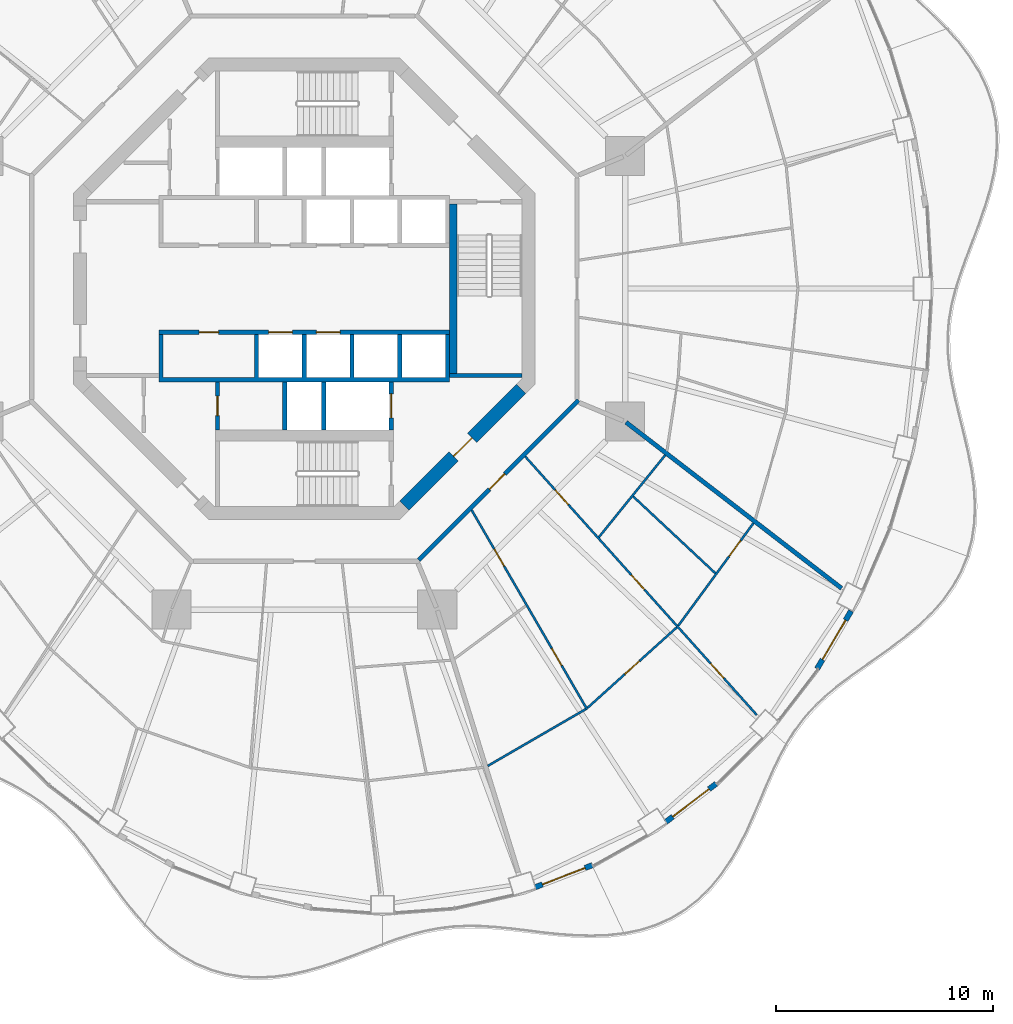
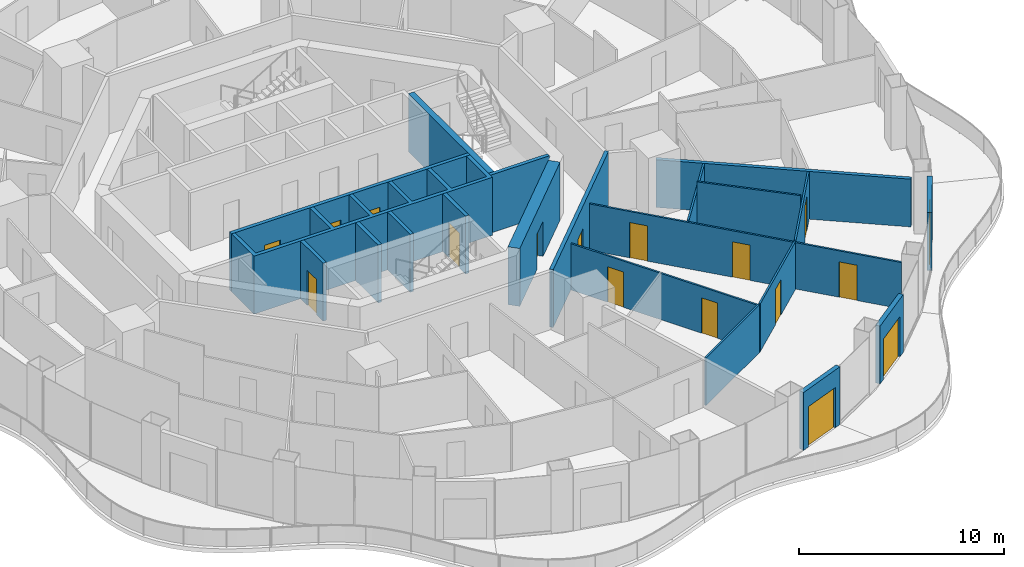
# One storey, part 12 of 19: 21 walls, 17 doors, 17 openings.
"""IFC4 building model written with IfcOpenShell, lengths in metres."""

from ifc_helpers import new_model, si_unit, direction, frame, frame_2d, origin, place, context, subcontext, project, spatial, polyline, rectangle, outline, extrude, material, layer, layer_set, type_object, element, fill, save


model = new_model("IFC4")

# Units and contexts
model_context = context("Model", 3, precision=1e-05, world=origin(), true_north=direction((0.0, 1.0)))
body_context = subcontext(model_context, "Body", "Model", "MODEL_VIEW")
ifc_project = project(units=[si_unit("LENGTHUNIT", "METRE"), si_unit("AREAUNIT", "SQUARE_METRE"), si_unit("VOLUMEUNIT", "CUBIC_METRE"), si_unit("PLANEANGLEUNIT", "RADIAN"), si_unit("MASSUNIT", "GRAM", prefix="KILO")], contexts=[model_context])

# Site, building, storey
site_placement = place(None, origin())
site = spatial("IfcSite", under=ifc_project, at=site_placement, CompositionType="ELEMENT")
building_placement = place(site_placement, origin())
building = spatial("IfcBuilding", under=site, at=building_placement, Name="Nagisa Residences", CompositionType="ELEMENT")
storey_placement = place(building_placement, frame((0.0, 0.0, 191.800048828125)))
storey = spatial("IfcBuildingStorey", under=building, at=storey_placement, Name="L48", CompositionType="ELEMENT", Elevation=191.800048828125)

# Wall
ifc_material_1 = material(Name="Gypsum board on steel studs", Category="steel")
ifc_layer_1 = layer(ifc_material_1, 0.199951171875)
ifc_layer_set_1 = layer_set([ifc_layer_1], Name="Apartment compartment wall EI60 200")
wall_type_1 = type_object("IfcWallType", Name="Apartment compartment wall EI60 200", PredefinedType="PARTITIONING", material=ifc_layer_set_1)
wall_1_placement = place(storey_placement, frame((14.82177734375, -6.153564453125, 0.0), z_axis=(0.0, 0.0, 1.0), x_axis=(0.792203056092, -0.610257583254, 0.0)))
element("IfcWall", 1, at=wall_1_placement, inside=storey, type_object=wall_type_1, Name="wall:L48:u09", PredefinedType="PARTITIONING", context=body_context, shape_type="SweptSolid", body=[
    extrude(rectangle(XDim=12.53271484375, YDim=0.199951171875, at=frame_2d((6.266357421875, 0.0))), origin(), (0.0, 0.0, 1.0), 2.8369140625),
])

# Wall, opening, door
ifc_material_2 = material(Name="Gypsum board on steel studs", Category="steel")
ifc_layer_2 = layer(ifc_material_2, 0.199951171875)
ifc_layer_set_2 = layer_set([ifc_layer_2], Name="Apartment entry wall EI60 200")
wall_type_2 = type_object("IfcWallType", Name="Apartment entry wall EI60 200", PredefinedType="PARTITIONING", material=ifc_layer_set_2)
wall_2_placement = place(storey_placement, frame((5.275146484375, -12.494140625, 0.0), z_axis=(0.0, 0.0, 1.0), x_axis=(0.707106781187, 0.707106781187, 0.0)))
wall_2 = element("IfcWall", 2, at=wall_2_placement, inside=storey, type_object=wall_type_2, Name="wall:L48:u17", PredefinedType="PARTITIONING", context=body_context, shape_type="SweptSolid", body=[
    extrude(rectangle(XDim=10.4091796875, YDim=0.199951171875, at=frame_2d((5.20458984375, 0.0))), origin(), (0.0, 0.0, 1.0), 3.43994140625),
])
opening_1_placement = place(wall_2_placement, frame((4.6044921875, 0.0, 0.0)))
opening_1 = element("IfcOpeningElement", 3, at=opening_1_placement, cuts=wall_2, Name="Opening L48-U14", PredefinedType="OPENING", context=body_context, shape_type="SweptSolid", body=[
    extrude(rectangle(XDim=1.0, YDim=2.10009765625, at=frame_2d((0.5, 1.050048828125))), frame((0.0, 0.10986328125, 0.0), z_axis=(0.0, -1.0, 0.0), x_axis=(1.0, 0.0, 0.0)), (0.0, 0.0, 1.0), 0.219970703125),
])
ifc_material_3 = material(Name="Timber fire door set", Category="wood")
door_type_1 = type_object("IfcDoorType", Name="Apartment entry door FD30S 1000x2100", OperationType="NOTDEFINED", PredefinedType="DOOR", material=ifc_material_3)
door_1_placement = place(opening_1_placement, frame((1.0, 0.0, 0.0), x_axis=(-1.0, 0.0, 0.0)))
door_1 = element("IfcDoor", 4, at=door_1_placement, inside=storey, type_object=door_type_1, Name="Entry door, Apartment 48B", OperationType="SINGLE_SWING_LEFT", OverallHeight=2.10009765625, OverallWidth=1.0, PredefinedType="DOOR", context=body_context, shape_type="SweptSolid", body=[
    extrude(rectangle(XDim=1.0, YDim=2.10009765625, at=frame_2d((0.5, 1.050048828125))), frame((0.0, 0.02490234375, 0.0), z_axis=(0.0, -1.0, 0.0), x_axis=(1.0, 0.0, 0.0)), (0.0, 0.0, 1.0), 0.050048828125),
])
fill(opening_1, door_1)

# Wall
ifc_material_4 = material(Name="Gypsum board on steel studs", Category="steel")
ifc_layer_3 = layer(ifc_material_4, 0.10009765625)
ifc_layer_set_3 = layer_set([ifc_layer_3], Name="Apartment partition 100")
wall_type_3 = type_object("IfcWallType", Name="Apartment partition 100", PredefinedType="PARTITIONING", material=ifc_layer_set_3)
wall_3_placement = place(storey_placement, frame((8.4482421875, -21.988037109375, 0.0), z_axis=(0.0, 0.0, 1.0), x_axis=(0.865286427811, 0.501277765163, 0.0)))
element("IfcWall", 5, at=wall_3_placement, inside=storey, type_object=wall_type_3, Name="wall:L48:u77", PredefinedType="PARTITIONING", context=body_context, shape_type="SweptSolid", body=[
    extrude(rectangle(XDim=5.219970703125, YDim=0.10009765625, at=frame_2d((2.60986328125, 0.0))), origin(), (0.0, 0.0, 1.0), 2.8369140625),
])

# Wall, openings, doors
wall_4_placement = place(storey_placement, frame((7.7080078125, -10.19775390625, 0.0), z_axis=(0.0, 0.0, 1.0), x_axis=(0.501288100085, -0.865280440501, 0.0)))
wall_4 = element("IfcWall", 6, at=wall_4_placement, inside=storey, type_object=wall_type_3, Name="wall:L48:u78", PredefinedType="PARTITIONING", context=body_context, shape_type="SweptSolid", body=[
    extrude(rectangle(XDim=10.623046875, YDim=0.10009765625, at=frame_2d((5.3115234375, 0.0))), origin(), (0.0, 0.0, 1.0), 2.755859375),
])
opening_2_placement = place(wall_4_placement, frame((2.082275390625, 0.0, 0.0)))
opening_2 = element("IfcOpeningElement", 7, at=opening_2_placement, cuts=wall_4, Name="Opening L48-U15", PredefinedType="OPENING", context=body_context, shape_type="SweptSolid", body=[
    extrude(rectangle(XDim=0.89990234375, YDim=2.10009765625, at=frame_2d((0.449951171875, 1.050048828125))), frame((0.0, 0.06005859375, 0.0), z_axis=(0.0, -1.0, 0.0), x_axis=(1.0, 0.0, 0.0)), (0.0, 0.0, 1.0), 0.1201171875),
])
opening_3_placement = place(wall_4_placement, frame((7.36865234375, 0.0, 0.0)))
opening_3 = element("IfcOpeningElement", 8, at=opening_3_placement, cuts=wall_4, Name="Opening L48-U17", PredefinedType="OPENING", context=body_context, shape_type="SweptSolid", body=[
    extrude(rectangle(XDim=0.89990234375, YDim=2.10009765625, at=frame_2d((0.449951171875, 1.050048828125))), frame((0.0, 0.06005859375, 0.0), z_axis=(0.0, -1.0, 0.0), x_axis=(1.0, 0.0, 0.0)), (0.0, 0.0, 1.0), 0.1201171875),
])
ifc_material_5 = material(Name="Timber door set", Category="wood")
door_type_2 = type_object("IfcDoorType", Name="Apartment door 900x2100", OperationType="NOTDEFINED", PredefinedType="DOOR", material=ifc_material_5)
door_2_placement = place(opening_2_placement, frame((0.89990234375, 0.0, 0.0), x_axis=(-1.0, 0.0, 0.0)))
door_2 = element("IfcDoor", 9, at=door_2_placement, inside=storey, type_object=door_type_2, Name="Door to store, Apartment 48B", OperationType="SINGLE_SWING_RIGHT", OverallHeight=2.10009765625, OverallWidth=0.89990234375, PredefinedType="DOOR", context=body_context, shape_type="SweptSolid", body=[
    extrude(rectangle(XDim=0.89990234375, YDim=2.10009765625, at=frame_2d((0.449951171875, 1.050048828125))), frame((0.0, 0.02490234375, 0.0), z_axis=(0.0, -1.0, 0.0), x_axis=(1.0, 0.0, 0.0)), (0.0, 0.0, 1.0), 0.050048828125),
])
fill(opening_2, door_2)
door_3_placement = place(opening_3_placement, frame((0.89990234375, 0.0, 0.0), x_axis=(-1.0, 0.0, 0.0)))
door_3 = element("IfcDoor", 10, at=door_3_placement, inside=storey, type_object=door_type_2, Name="Door to kitchen, Apartment 48B", OperationType="SINGLE_SWING_RIGHT", OverallHeight=2.10009765625, OverallWidth=0.89990234375, PredefinedType="DOOR", context=body_context, shape_type="SweptSolid", body=[
    extrude(rectangle(XDim=0.89990234375, YDim=2.10009765625, at=frame_2d((0.449951171875, 1.050048828125))), frame((0.0, 0.02490234375, 0.0), z_axis=(0.0, -1.0, 0.0), x_axis=(1.0, 0.0, 0.0)), (0.0, 0.0, 1.0), 0.050048828125),
])
fill(opening_3, door_3)

# Wall, opening, door
wall_5_placement = place(storey_placement, frame((13.04541015625, -19.312744140625, 0.0), z_axis=(0.0, 0.0, 1.0), x_axis=(0.742790086539, 0.66952437397, 0.0)))
wall_5 = element("IfcWall", 11, at=wall_5_placement, inside=storey, type_object=wall_type_3, Name="wall:L48:u79", PredefinedType="PARTITIONING", context=body_context, shape_type="SweptSolid", body=[
    extrude(rectangle(XDim=5.54150390625, YDim=0.10009765625, at=frame_2d((2.770751953125, 0.0))), origin(), (0.0, 0.0, 1.0), 2.8369140625),
])
opening_4_placement = place(wall_5_placement, frame((2.32080078125, 0.0, 0.0)))
opening_4 = element("IfcOpeningElement", 12, at=opening_4_placement, cuts=wall_5, Name="Opening L48-U19", PredefinedType="OPENING", context=body_context, shape_type="SweptSolid", body=[
    extrude(rectangle(XDim=0.89990234375, YDim=2.10009765625, at=frame_2d((0.449951171875, 1.050048828125))), frame((0.0, 0.06005859375, 0.0), z_axis=(0.0, -1.0, 0.0), x_axis=(1.0, 0.0, 0.0)), (0.0, 0.0, 1.0), 0.1201171875),
])
door_4_placement = place(opening_4_placement, frame((0.89990234375, 0.0, 0.0), x_axis=(-1.0, 0.0, 0.0)))
door_4 = element("IfcDoor", 13, at=door_4_placement, inside=storey, type_object=door_type_2, Name="Door to living room, Apartment 48B", OperationType="SINGLE_SWING_RIGHT", OverallHeight=2.10009765625, OverallWidth=0.89990234375, PredefinedType="DOOR", context=body_context, shape_type="SweptSolid", body=[
    extrude(rectangle(XDim=0.89990234375, YDim=2.10009765625, at=frame_2d((0.449951171875, 1.050048828125))), frame((0.0, 0.02490234375, 0.0), z_axis=(0.0, -1.0, 0.0), x_axis=(1.0, 0.0, 0.0)), (0.0, 0.0, 1.0), 0.050048828125),
])
fill(opening_4, door_4)

# Wall, openings, doors
wall_6_placement = place(storey_placement, frame((10.177978515625, -7.732421875, 0.0), z_axis=(0.0, 0.0, 1.0), x_axis=(0.667283629999, -0.74480370376, 0.0)))
wall_6 = element("IfcWall", 14, at=wall_6_placement, inside=storey, type_object=wall_type_3, Name="wall:L48:u80", PredefinedType="PARTITIONING", context=body_context, shape_type="SweptSolid", body=[
    extrude(rectangle(XDim=15.983154296875, YDim=0.10009765625, at=frame_2d((7.99169921875, 0.0))), origin(), (0.0, 0.0, 1.0), 2.755859375),
])
opening_5_placement = place(wall_6_placement, frame((2.069580078125, 0.0, 0.0)))
opening_5 = element("IfcOpeningElement", 15, at=opening_5_placement, cuts=wall_6, Name="Opening L48-U16", PredefinedType="OPENING", context=body_context, shape_type="SweptSolid", body=[
    extrude(rectangle(XDim=0.89990234375, YDim=2.10009765625, at=frame_2d((0.449951171875, 1.050048828125))), frame((0.0, 0.06005859375, 0.0), z_axis=(0.0, -1.0, 0.0), x_axis=(1.0, 0.0, 0.0)), (0.0, 0.0, 1.0), 0.1201171875),
])
opening_6_placement = place(wall_6_placement, frame((7.33056640625, 0.0, 0.0)))
opening_6 = element("IfcOpeningElement", 16, at=opening_6_placement, cuts=wall_6, Name="Opening L48-U18", PredefinedType="OPENING", context=body_context, shape_type="SweptSolid", body=[
    extrude(rectangle(XDim=0.89990234375, YDim=2.10009765625, at=frame_2d((0.449951171875, 1.050048828125))), frame((0.0, 0.06005859375, 0.0), z_axis=(0.0, -1.0, 0.0), x_axis=(1.0, 0.0, 0.0)), (0.0, 0.0, 1.0), 0.1201171875),
])
opening_7_placement = place(wall_6_placement, frame((12.80224609375, 0.0, 0.0)))
opening_7 = element("IfcOpeningElement", 17, at=opening_7_placement, cuts=wall_6, Name="Opening L48-U20", PredefinedType="OPENING", context=body_context, shape_type="SweptSolid", body=[
    extrude(rectangle(XDim=0.89990234375, YDim=2.10009765625, at=frame_2d((0.449951171875, 1.050048828125))), frame((0.0, 0.06005859375, 0.0), z_axis=(0.0, -1.0, 0.0), x_axis=(1.0, 0.0, 0.0)), (0.0, 0.0, 1.0), 0.1201171875),
])
door_5_placement = place(opening_5_placement, origin())
door_5 = element("IfcDoor", 18, at=door_5_placement, inside=storey, type_object=door_type_2, Name="Door to family bathroom, Apartment 48B", OperationType="SINGLE_SWING_RIGHT", OverallHeight=2.10009765625, OverallWidth=0.89990234375, PredefinedType="DOOR", context=body_context, shape_type="SweptSolid", body=[
    extrude(rectangle(XDim=0.89990234375, YDim=2.10009765625, at=frame_2d((0.449951171875, 1.050048828125))), frame((0.0, 0.02490234375, 0.0), z_axis=(0.0, -1.0, 0.0), x_axis=(1.0, 0.0, 0.0)), (0.0, 0.0, 1.0), 0.050048828125),
])
fill(opening_5, door_5)
door_6_placement = place(opening_6_placement, origin())
door_6 = element("IfcDoor", 19, at=door_6_placement, inside=storey, type_object=door_type_2, Name="Door to family bathroom, Apartment 48B", OperationType="SINGLE_SWING_RIGHT", OverallHeight=2.10009765625, OverallWidth=0.89990234375, PredefinedType="DOOR", context=body_context, shape_type="SweptSolid", body=[
    extrude(rectangle(XDim=0.89990234375, YDim=2.10009765625, at=frame_2d((0.449951171875, 1.050048828125))), frame((0.0, 0.02490234375, 0.0), z_axis=(0.0, -1.0, 0.0), x_axis=(1.0, 0.0, 0.0)), (0.0, 0.0, 1.0), 0.050048828125),
])
fill(opening_6, door_6)
door_7_placement = place(opening_7_placement, origin())
door_7 = element("IfcDoor", 20, at=door_7_placement, inside=storey, type_object=door_type_2, Name="Door to master bedroom, Apartment 48B", OperationType="SINGLE_SWING_RIGHT", OverallHeight=2.10009765625, OverallWidth=0.89990234375, PredefinedType="DOOR", context=body_context, shape_type="SweptSolid", body=[
    extrude(rectangle(XDim=0.89990234375, YDim=2.10009765625, at=frame_2d((0.449951171875, 1.050048828125))), frame((0.0, 0.02490234375, 0.0), z_axis=(0.0, -1.0, 0.0), x_axis=(1.0, 0.0, 0.0)), (0.0, 0.0, 1.0), 0.050048828125),
])
fill(opening_7, door_7)

# Wall
wall_7_placement = place(storey_placement, frame((13.572265625, -11.447021484375, 0.0), z_axis=(0.0, 0.0, 1.0), x_axis=(0.628738316533, 0.777616955399, 0.0)))
element("IfcWall", 21, at=wall_7_placement, inside=storey, type_object=wall_type_3, Name="wall:L48:u81", PredefinedType="PARTITIONING", context=body_context, shape_type="SweptSolid", body=[
    extrude(rectangle(XDim=4.857177734375, YDim=0.10009765625, at=frame_2d((2.4287109375, 0.0))), origin(), (0.0, 0.0, 1.0), 2.8369140625),
])

# Wall, opening, door
wall_8_placement = place(storey_placement, frame((17.228515625, -15.528564453125, 0.0), z_axis=(0.0, 0.0, 1.0), x_axis=(0.591110768293, 0.806590391468, 0.0)))
wall_8 = element("IfcWall", 22, at=wall_8_placement, inside=storey, type_object=wall_type_3, Name="wall:L48:u82", PredefinedType="PARTITIONING", context=body_context, shape_type="SweptSolid", body=[
    extrude(rectangle(XDim=5.85986328125, YDim=0.10009765625, at=frame_2d((2.929931640625, 0.0))), origin(), (0.0, 0.0, 1.0), 2.8369140625),
])
opening_8_placement = place(wall_8_placement, frame((3.95751953125, 0.0, 0.0)))
opening_8 = element("IfcOpeningElement", 23, at=opening_8_placement, cuts=wall_8, Name="Opening L48-U21", PredefinedType="OPENING", context=body_context, shape_type="SweptSolid", body=[
    extrude(rectangle(XDim=0.89990234375, YDim=2.10009765625, at=frame_2d((0.449951171875, 1.050048828125))), frame((0.0, 0.06005859375, 0.0), z_axis=(0.0, -1.0, 0.0), x_axis=(1.0, 0.0, 0.0)), (0.0, 0.0, 1.0), 0.1201171875),
])
door_8_placement = place(opening_8_placement, origin())
door_8 = element("IfcDoor", 24, at=door_8_placement, inside=storey, type_object=door_type_2, Name="Door to en-suite bathroom, Apartment 48B", OperationType="SINGLE_SWING_LEFT", OverallHeight=2.10009765625, OverallWidth=0.89990234375, PredefinedType="DOOR", context=body_context, shape_type="SweptSolid", body=[
    extrude(rectangle(XDim=0.89990234375, YDim=2.10009765625, at=frame_2d((0.449951171875, 1.050048828125))), frame((0.0, 0.02490234375, 0.0), z_axis=(0.0, -1.0, 0.0), x_axis=(1.0, 0.0, 0.0)), (0.0, 0.0, 1.0), 0.050048828125),
])
fill(opening_8, door_8)

# Wall
wall_9_placement = place(storey_placement, frame((15.151611328125, -9.572998046875, 0.0), z_axis=(0.0, 0.0, 1.0), x_axis=(0.730723083214, -0.682673989294, 0.0)))
element("IfcWall", 25, at=wall_9_placement, inside=storey, type_object=wall_type_3, Name="wall:L48:u83", PredefinedType="PARTITIONING", context=body_context, shape_type="SweptSolid", body=[
    extrude(rectangle(XDim=5.1826171875, YDim=0.10009765625, at=frame_2d((2.59130859375, 0.0))), origin(), (0.0, 0.0, 1.0), 3.43994140625),
])

# Wall, opening, door
ifc_material_6 = material(Name="Precast concrete C40/50", Category="concrete")
ifc_layer_4 = layer(ifc_material_6, 0.25)
ifc_layer_set_4 = layer_set([ifc_layer_4], Name="BALCONY DOOR WALL 250")
wall_type_4 = type_object("IfcWallType", Name="BALCONY DOOR WALL 250", PredefinedType="SOLIDWALL", material=ifc_layer_set_4)
wall_10_placement = place(storey_placement, frame((13.265625, -26.560302734375, 0.0), z_axis=(0.0, 0.0, 1.0), x_axis=(-0.932806734513, -0.360377019311, 0.0)))
wall_10 = element("IfcWall", 26, at=wall_10_placement, inside=storey, type_object=wall_type_4, Name="wall:L48:bay38", PredefinedType="SOLIDWALL", context=body_context, shape_type="SweptSolid", body=[
    extrude(rectangle(XDim=2.819580078125, YDim=0.25, at=frame_2d((1.40966796875, 0.0))), origin(), (0.0, 0.0, 1.0), 3.43994140625),
])
opening_9_placement = place(wall_10_placement, frame((0.359619140625, 0.0, 0.0)))
opening_9 = element("IfcOpeningElement", 27, at=opening_9_placement, cuts=wall_10, Name="Opening BD-L48-13", PredefinedType="OPENING", context=body_context, shape_type="SweptSolid", body=[
    extrude(rectangle(XDim=2.10009765625, YDim=2.39990234375, at=frame_2d((1.050048828125, 1.199951171875))), frame((0.0, 0.135009765625, 0.0), z_axis=(0.0, -1.0, 0.0), x_axis=(1.0, 0.0, 0.0)), (0.0, 0.0, 1.0), 0.27001953125),
])
ifc_material_7 = material(Name="Aluminium and clear glass", Category="aluminium")
door_type_3 = type_object("IfcDoorType", Name="BALCONY SLIDING DOOR 2100x2400", OperationType="SLIDING_TO_LEFT", PredefinedType="DOOR", material=ifc_material_7)
door_9_placement = place(opening_9_placement, origin())
door_9 = element("IfcDoor", 28, at=door_9_placement, inside=storey, type_object=door_type_3, Name="door:L48:bay38", OperationType="SLIDING_TO_LEFT", OverallHeight=2.39990234375, OverallWidth=2.10009765625, PredefinedType="DOOR", context=body_context, shape_type="SweptSolid", body=[
    extrude(rectangle(XDim=2.10009765625, YDim=2.39990234375, at=frame_2d((1.050048828125, 1.199951171875))), frame((0.0, 0.02490234375, 0.0), z_axis=(0.0, -1.0, 0.0), x_axis=(1.0, 0.0, 0.0)), (0.0, 0.0, 1.0), 0.050048828125),
])
fill(opening_9, door_9)

wall_11_placement = place(storey_placement, frame((18.9716796875, -22.80859375, 0.0), z_axis=(0.0, 0.0, 1.0), x_axis=(-0.796055733703, -0.60522332146, 0.0)))
wall_11 = element("IfcWall", 29, at=wall_11_placement, inside=storey, type_object=wall_type_4, Name="wall:L48:bay40", PredefinedType="SOLIDWALL", context=body_context, shape_type="SweptSolid", body=[
    extrude(rectangle(XDim=2.9169921875, YDim=0.25, at=frame_2d((1.45849609375, 0.0))), origin(), (0.0, 0.0, 1.0), 3.43994140625),
])
opening_10_placement = place(wall_11_placement, frame((0.408447265625, 0.0, 0.0)))
opening_10 = element("IfcOpeningElement", 30, at=opening_10_placement, cuts=wall_11, Name="Opening BD-L48-14", PredefinedType="OPENING", context=body_context, shape_type="SweptSolid", body=[
    extrude(rectangle(XDim=2.10009765625, YDim=2.39990234375, at=frame_2d((1.050048828125, 1.199951171875))), frame((0.0, 0.135009765625, 0.0), z_axis=(0.0, -1.0, 0.0), x_axis=(1.0, 0.0, 0.0)), (0.0, 0.0, 1.0), 0.27001953125),
])
door_10_placement = place(opening_10_placement, origin())
door_10 = element("IfcDoor", 31, at=door_10_placement, inside=storey, type_object=door_type_3, Name="door:L48:bay40", OperationType="SLIDING_TO_LEFT", OverallHeight=2.39990234375, OverallWidth=2.10009765625, PredefinedType="DOOR", context=body_context, shape_type="SweptSolid", body=[
    extrude(rectangle(XDim=2.10009765625, YDim=2.39990234375, at=frame_2d((1.050048828125, 1.199951171875))), frame((0.0, 0.02490234375, 0.0), z_axis=(0.0, -1.0, 0.0), x_axis=(1.0, 0.0, 0.0)), (0.0, 0.0, 1.0), 0.050048828125),
])
fill(opening_10, door_10)

wall_12_placement = place(storey_placement, frame((25.189208984375, -14.848388671875, 0.0), z_axis=(0.0, 0.0, 1.0), x_axis=(-0.506367803691, -0.862317602386, 0.0)))
wall_12 = element("IfcWall", 32, at=wall_12_placement, inside=storey, type_object=wall_type_4, Name="wall:L48:bay43", PredefinedType="SOLIDWALL", context=body_context, shape_type="SweptSolid", body=[
    extrude(rectangle(XDim=3.092041015625, YDim=0.25, at=frame_2d((1.5458984375, 0.0))), origin(), (0.0, 0.0, 1.0), 3.43994140625),
])
opening_11_placement = place(wall_12_placement, frame((0.495849609375, 0.0, 0.0)))
opening_11 = element("IfcOpeningElement", 33, at=opening_11_placement, cuts=wall_12, Name="Opening BD-L48-15", PredefinedType="OPENING", context=body_context, shape_type="SweptSolid", body=[
    extrude(rectangle(XDim=2.10009765625, YDim=2.39990234375, at=frame_2d((1.050048828125, 1.199951171875))), frame((0.0, 0.135009765625, 0.0), z_axis=(0.0, -1.0, 0.0), x_axis=(1.0, 0.0, 0.0)), (0.0, 0.0, 1.0), 0.27001953125),
])
door_11_placement = place(opening_11_placement, origin())
door_11 = element("IfcDoor", 34, at=door_11_placement, inside=storey, type_object=door_type_3, Name="door:L48:bay43", OperationType="SLIDING_TO_LEFT", OverallHeight=2.39990234375, OverallWidth=2.10009765625, PredefinedType="DOOR", context=body_context, shape_type="SweptSolid", body=[
    extrude(rectangle(XDim=2.10009765625, YDim=2.39990234375, at=frame_2d((1.050048828125, 1.199951171875))), frame((0.0, 0.02490234375, 0.0), z_axis=(0.0, -1.0, 0.0), x_axis=(1.0, 0.0, 0.0)), (0.0, 0.0, 1.0), 0.050048828125),
])
fill(opening_11, door_11)

ifc_material_8 = material(Name="Concrete C60", Category="concrete")
ifc_layer_5 = layer(ifc_material_8, 0.60009765625)
ifc_layer_set_5 = layer_set([ifc_layer_5], Name="Core shear wall 600")
wall_type_5 = type_object("IfcWallType", Name="Core shear wall 600", PredefinedType="SHEAR", material=ifc_layer_set_5)
wall_13_placement = place(storey_placement, frame((4.613037109375, -9.98828125, 0.0), z_axis=(0.0, 0.0, 1.0), x_axis=(0.707106781187, 0.707106781187, 0.0)))
wall_13 = element("IfcWall", 35, at=wall_13_placement, inside=storey, type_object=wall_type_5, Name="wall:L48:core:flat7", PredefinedType="SHEAR", context=body_context, shape_type="SweptSolid", body=[
    extrude(rectangle(XDim=7.601806640625, YDim=0.60009765625, at=frame_2d((3.80078125, 0.0))), origin(), (0.0, 0.0, 1.0), 3.43994140625),
])
opening_12_placement = place(wall_13_placement, frame((3.200927734375, 0.0, 0.0)))
opening_12 = element("IfcOpeningElement", 36, at=opening_12_placement, cuts=wall_13, Name="Opening L48-C19", PredefinedType="OPENING", context=body_context, shape_type="SweptSolid", body=[
    extrude(rectangle(XDim=1.199951171875, YDim=2.10009765625, at=frame_2d((0.60009765625, 1.050048828125))), frame((0.0, 0.31005859375, 0.0), z_axis=(0.0, -1.0, 0.0), x_axis=(1.0, 0.0, 0.0)), (0.0, 0.0, 1.0), 0.6201171875),
])
ifc_material_9 = material(Name="Steel fire door", Category="steel")
door_type_4 = type_object("IfcDoorType", Name="Fire door EI60 1200x2100 single swing", OperationType="NOTDEFINED", PredefinedType="DOOR", material=ifc_material_9)
door_12_placement = place(opening_12_placement, origin())
door_12 = element("IfcDoor", 37, at=door_12_placement, inside=storey, type_object=door_type_4, Name="Firefighting lobby 2 door L48", OperationType="SINGLE_SWING_RIGHT", OverallHeight=2.10009765625, OverallWidth=1.199951171875, PredefinedType="DOOR", context=body_context, shape_type="SweptSolid", body=[
    extrude(rectangle(XDim=1.199951171875, YDim=2.10009765625, at=frame_2d((0.60009765625, 1.050048828125))), frame((0.0, 0.02490234375, 0.0), z_axis=(0.0, -1.0, 0.0), x_axis=(1.0, 0.0, 0.0)), (0.0, 0.0, 1.0), 0.050048828125),
])
fill(opening_12, door_12)

ifc_material_10 = material(Name="Concrete C60", Category="concrete")
ifc_layer_6 = layer(ifc_material_10, 0.199951171875)
ifc_layer_set_6 = layer_set([ifc_layer_6], Name="Lift shaft wall 200")
wall_type_6 = type_object("IfcWallType", Name="Lift shaft wall 200", PredefinedType="SOLIDWALL", material=ifc_layer_set_6)
wall_14_placement = place(storey_placement, frame((4.0, -6.5, 0.0), z_axis=(0.0, 0.0, 1.0), x_axis=(0.0, 1.0, 0.0)))
wall_14 = element("IfcWall", 38, at=wall_14_placement, inside=storey, type_object=wall_type_6, Name="wall:L48:Sb3", PredefinedType="SOLIDWALL", context=body_context, shape_type="SweptSolid", body=[
    extrude(rectangle(XDim=2.199951171875, YDim=0.199951171875, at=frame_2d((1.10009765625, 0.0))), origin(), (0.0, 0.0, 1.0), 3.43994140625),
])
opening_13_placement = place(wall_14_placement, frame((0.550048828125, 0.0, 0.0)))
opening_13 = element("IfcOpeningElement", 39, at=opening_13_placement, cuts=wall_14, Name="Opening L48-C06", PredefinedType="OPENING", context=body_context, shape_type="SweptSolid", body=[
    extrude(rectangle(XDim=1.10009765625, YDim=2.10009765625, at=frame_2d((0.550048828125, 1.050048828125))), frame((0.0, 0.10986328125, 0.0), z_axis=(0.0, -1.0, 0.0), x_axis=(1.0, 0.0, 0.0)), (0.0, 0.0, 1.0), 0.219970703125),
])
ifc_material_11 = material(Name="Stainless steel", Category="steel")
door_type_5 = type_object("IfcDoorType", Name="Lift landing door 1100x2100", OperationType="DOUBLE_DOOR_SLIDING", PredefinedType="DOOR", material=ifc_material_11)
door_13_placement = place(opening_13_placement, origin())
door_13 = element("IfcDoor", 40, at=door_13_placement, inside=storey, type_object=door_type_5, Name="Landing door FL2 L48", OperationType="DOUBLE_DOOR_SLIDING", OverallHeight=2.10009765625, OverallWidth=1.10009765625, PredefinedType="DOOR", context=body_context, shape_type="SweptSolid", body=[
    extrude(rectangle(XDim=1.10009765625, YDim=2.10009765625, at=frame_2d((0.550048828125, 1.050048828125))), frame((0.0, 0.02490234375, 0.0), z_axis=(0.0, -1.0, 0.0), x_axis=(1.0, 0.0, 0.0)), (0.0, 0.0, 1.0), 0.050048828125),
])
fill(opening_13, door_13)

wall_15_placement = place(storey_placement, frame((-4.0, -6.5, 0.0), z_axis=(0.0, 0.0, 1.0), x_axis=(0.0, 1.0, 0.0)))
wall_15 = element("IfcWall", 41, at=wall_15_placement, inside=storey, type_object=wall_type_6, Name="wall:L48:Sb4", PredefinedType="SOLIDWALL", context=body_context, shape_type="SweptSolid", body=[
    extrude(rectangle(XDim=2.199951171875, YDim=0.199951171875, at=frame_2d((1.10009765625, 0.0))), origin(), (0.0, 0.0, 1.0), 3.43994140625),
])
opening_14_placement = place(wall_15_placement, frame((0.64990234375, 0.0, 0.0)))
opening_14 = element("IfcOpeningElement", 42, at=opening_14_placement, cuts=wall_15, Name="Opening L48-C14", PredefinedType="OPENING", context=body_context, shape_type="SweptSolid", body=[
    extrude(rectangle(XDim=0.89990234375, YDim=2.10009765625, at=frame_2d((0.449951171875, 1.050048828125))), frame((0.0, 0.10986328125, 0.0), z_axis=(0.0, -1.0, 0.0), x_axis=(1.0, 0.0, 0.0)), (0.0, 0.0, 1.0), 0.219970703125),
])
ifc_material_12 = material(Name="Steel fire door", Category="steel")
door_type_6 = type_object("IfcDoorType", Name="Fire door EI30 900x2100 single swing", OperationType="NOTDEFINED", PredefinedType="DOOR", material=ifc_material_12)
door_14_placement = place(opening_14_placement, frame((0.89990234375, 0.0, 0.0), x_axis=(-1.0, 0.0, 0.0)))
door_14 = element("IfcDoor", 43, at=door_14_placement, inside=storey, type_object=door_type_6, Name="Refuse room door L48", OperationType="SINGLE_SWING_LEFT", OverallHeight=2.10009765625, OverallWidth=0.89990234375, PredefinedType="DOOR", context=body_context, shape_type="SweptSolid", body=[
    extrude(rectangle(XDim=0.89990234375, YDim=2.10009765625, at=frame_2d((0.449951171875, 1.050048828125))), frame((0.0, 0.02490234375, 0.0), z_axis=(0.0, -1.0, 0.0), x_axis=(1.0, 0.0, 0.0)), (0.0, 0.0, 1.0), 0.050048828125),
])
fill(opening_14, door_14)

# Wall, openings, doors
wall_16_placement = place(storey_placement, frame((-6.699951171875, -2.0, 0.0), z_axis=(0.0, 0.0, 1.0), x_axis=(1.0, 0.0, 0.0)))
wall_16 = element("IfcWall", 44, at=wall_16_placement, inside=storey, type_object=wall_type_6, Name="wall:L48:Sfront", PredefinedType="SOLIDWALL", context=body_context, shape_type="SweptSolid", body=[
    extrude(rectangle(XDim=13.39990234375, YDim=0.199951171875, at=frame_2d((6.699951171875, 0.0))), origin(), (0.0, 0.0, 1.0), 3.43994140625),
])
opening_15_placement = place(wall_16_placement, frame((5.050048828125, 0.0, 0.0)))
opening_15 = element("IfcOpeningElement", 45, at=opening_15_placement, cuts=wall_16, Name="Opening L48-C03", PredefinedType="OPENING", context=body_context, shape_type="SweptSolid", body=[
    extrude(rectangle(XDim=1.10009765625, YDim=2.10009765625, at=frame_2d((0.550048828125, 1.050048828125))), frame((0.0, 0.10986328125, 0.0), z_axis=(0.0, -1.0, 0.0), x_axis=(1.0, 0.0, 0.0)), (0.0, 0.0, 1.0), 0.219970703125),
])
opening_16_placement = place(wall_16_placement, frame((7.25, 0.0, 0.0)))
opening_16 = element("IfcOpeningElement", 46, at=opening_16_placement, cuts=wall_16, Name="Opening L48-C04", PredefinedType="OPENING", context=body_context, shape_type="SweptSolid", body=[
    extrude(rectangle(XDim=1.10009765625, YDim=2.10009765625, at=frame_2d((0.550048828125, 1.050048828125))), frame((0.0, 0.10986328125, 0.0), z_axis=(0.0, -1.0, 0.0), x_axis=(1.0, 0.0, 0.0)), (0.0, 0.0, 1.0), 0.219970703125),
])
opening_17_placement = place(wall_16_placement, frame((1.85009765625, 0.0, 0.0)))
opening_17 = element("IfcOpeningElement", 47, at=opening_17_placement, cuts=wall_16, Name="Opening L48-C17", PredefinedType="OPENING", context=body_context, shape_type="SweptSolid", body=[
    extrude(rectangle(XDim=0.89990234375, YDim=2.10009765625, at=frame_2d((0.449951171875, 1.050048828125))), frame((0.0, 0.10986328125, 0.0), z_axis=(0.0, -1.0, 0.0), x_axis=(1.0, 0.0, 0.0)), (0.0, 0.0, 1.0), 0.219970703125),
])
door_15_placement = place(opening_17_placement, frame((0.89990234375, 0.0, 0.0), x_axis=(-1.0, 0.0, 0.0)))
door_15 = element("IfcDoor", 48, at=door_15_placement, inside=storey, type_object=door_type_6, Name="Housekeeping store door L48", OperationType="SINGLE_SWING_RIGHT", OverallHeight=2.10009765625, OverallWidth=0.89990234375, PredefinedType="DOOR", context=body_context, shape_type="SweptSolid", body=[
    extrude(rectangle(XDim=0.89990234375, YDim=2.10009765625, at=frame_2d((0.449951171875, 1.050048828125))), frame((0.0, 0.02490234375, 0.0), z_axis=(0.0, -1.0, 0.0), x_axis=(1.0, 0.0, 0.0)), (0.0, 0.0, 1.0), 0.050048828125),
])
fill(opening_17, door_15)
door_16_placement = place(opening_15_placement, origin())
door_16 = element("IfcDoor", 49, at=door_16_placement, inside=storey, type_object=door_type_5, Name="Landing door B3 L48", OperationType="DOUBLE_DOOR_SLIDING", OverallHeight=2.10009765625, OverallWidth=1.10009765625, PredefinedType="DOOR", context=body_context, shape_type="SweptSolid", body=[
    extrude(rectangle(XDim=1.10009765625, YDim=2.10009765625, at=frame_2d((0.550048828125, 1.050048828125))), frame((0.0, 0.02490234375, 0.0), z_axis=(0.0, -1.0, 0.0), x_axis=(1.0, 0.0, 0.0)), (0.0, 0.0, 1.0), 0.050048828125),
])
fill(opening_15, door_16)
door_17_placement = place(opening_16_placement, origin())
door_17 = element("IfcDoor", 50, at=door_17_placement, inside=storey, type_object=door_type_5, Name="Landing door B4 L48", OperationType="DOUBLE_DOOR_SLIDING", OverallHeight=2.10009765625, OverallWidth=1.10009765625, PredefinedType="DOOR", context=body_context, shape_type="SweptSolid", body=[
    extrude(rectangle(XDim=1.10009765625, YDim=2.10009765625, at=frame_2d((0.550048828125, 1.050048828125))), frame((0.0, 0.02490234375, 0.0), z_axis=(0.0, -1.0, 0.0), x_axis=(1.0, 0.0, 0.0)), (0.0, 0.0, 1.0), 0.050048828125),
])
fill(opening_16, door_17)

# Walls
for number, where, z_axis, x_axis, name in (
    (51, (-0.89990234375, -6.5, 0.0), (0.0, 0.0, 1.0), (0.0, 1.0, 0.0), "wall:L48:Sb1"),
    (52, (0.89990234375, -6.5, 0.0), (0.0, 0.0, 1.0), (0.0, 1.0, 0.0), "wall:L48:Sb2"),
):
    element("IfcWall", number, at=place(storey_placement, frame(where, z_axis=z_axis, x_axis=x_axis)), inside=storey, type_object=wall_type_6, Name=name, PredefinedType="SOLIDWALL", context=body_context, shape_type="SweptSolid", body=[
        extrude(rectangle(XDim=2.199951171875, YDim=0.199951171875, at=frame_2d((1.10009765625, 0.0))), origin(), (0.0, 0.0, 1.0), 3.43994140625),
    ])
wall_17_placement = place(storey_placement, origin())
element("IfcWall", 53, at=wall_17_placement, inside=storey, type_object=wall_type_6, Name="wall:L48:Sback", PredefinedType="SOLIDWALL", context=body_context, shape_type="SweptSolid", body=[
    extrude(outline(polyline([(-6.699951171875, -2.10009765625), (-6.5, -2.10009765625), (-6.5, -4.10009765625), (-2.300048828125, -4.10009765625), (-2.300048828125, -2.10009765625), (-2.10009765625, -2.10009765625), (-2.10009765625, -4.10009765625), (-0.10009765625, -4.10009765625), (-0.10009765625, -2.10009765625), (0.10009765625, -2.10009765625), (0.10009765625, -4.10009765625), (2.10009765625, -4.10009765625), (2.10009765625, -2.10009765625), (2.300048828125, -2.10009765625), (2.300048828125, -4.10009765625), (4.300048828125, -4.10009765625), (4.300048828125, -2.10009765625), (4.5, -2.10009765625), (4.5, -4.10009765625), (6.5, -4.10009765625), (6.5, -2.10009765625), (6.699951171875, -2.10009765625), (6.699951171875, -4.300048828125), (-6.699951171875, -4.300048828125), (-6.699951171875, -2.10009765625)])), origin(), (0.0, 0.0, 1.0), 3.43994140625),
])
ifc_material_13 = material(Name="Concrete C60", Category="concrete")
ifc_layer_7 = layer(ifc_material_13, 0.199951171875)
ifc_layer_set_7 = layer_set([ifc_layer_7], Name="Stair enclosure wall 200")
wall_type_7 = type_object("IfcWallType", Name="Stair enclosure wall 200", PredefinedType="SOLIDWALL", material=ifc_layer_set_7)
wall_18_placement = place(storey_placement, origin())
element("IfcWall", 54, at=wall_18_placement, inside=storey, type_object=wall_type_7, Name="wall:L48:SE_w", PredefinedType="SOLIDWALL", context=body_context, shape_type="SweptSolid", body=[
    extrude(outline(polyline([(7.024658203125, -3.89990234375), (6.699951171875, -3.89990234375), (6.699951171875, 3.89990234375), (7.024658203125, 3.89990234375), (7.024658203125, -3.89990234375)])), origin(), (0.0, 0.0, 1.0), 3.43994140625),
])
wall_19_placement = place(storey_placement, origin())
element("IfcWall", 55, at=wall_19_placement, inside=storey, type_object=wall_type_7, Name="wall:L48:SE_s", PredefinedType="SOLIDWALL", context=body_context, shape_type="SweptSolid", body=[
    extrude(outline(polyline([(10.024658203125, -4.10009765625), (6.699951171875, -4.10009765625), (6.699951171875, -3.89990234375), (10.024658203125, -3.89990234375), (10.024658203125, -4.10009765625)])), origin(), (0.0, 0.0, 1.0), 3.43994140625),
])

save(model, "model.ifc")
